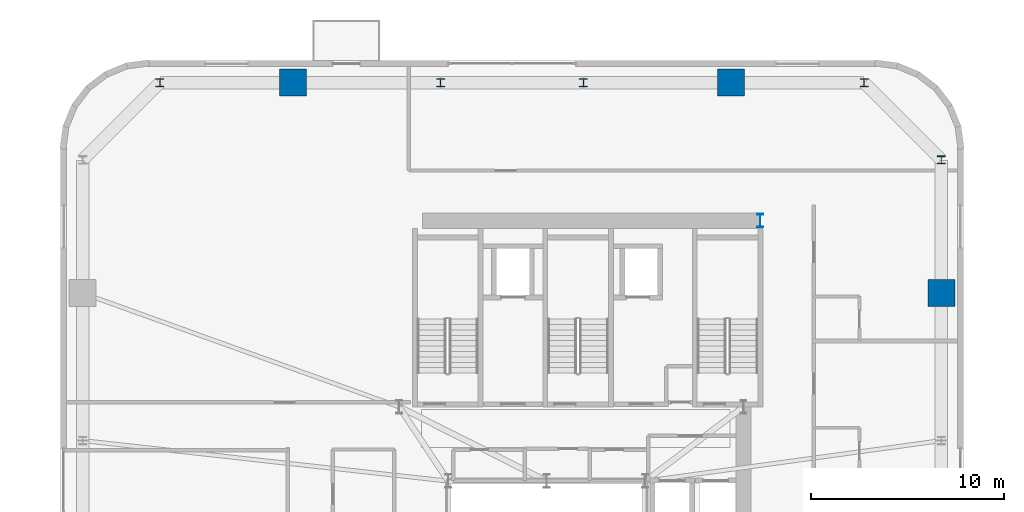
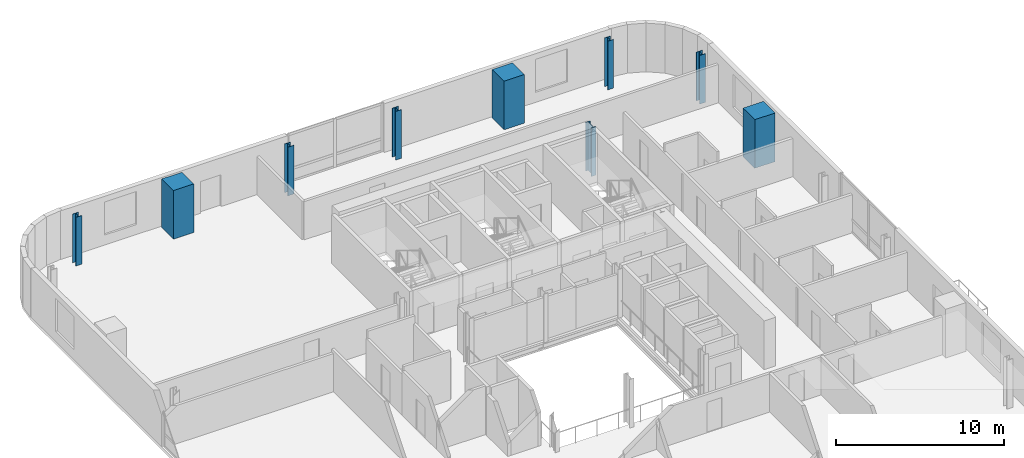
# One storey, part 2 of 15: 9 columns.
"""IFC4 building model written with IfcOpenShell, lengths in metres."""

import ifcopenshell
import ifcopenshell.guid

model = None  # the IFC model being written
_history = None  # IfcOwnerHistory: only IFC2X3 demands one
_inside = {}  # id of a spatial element -> (the spatial element, [elements in it])
_under = {}  # id of a project, library or spatial element -> (it, [spatial elements below it])
_declared = {}  # id of a project -> (the project, [libraries it declares])
_typed = {}  # id of a type object -> (the type object, [elements of that type])
_made_of = {}  # id of a material, layer set ... -> (it, [elements and type objects made of it])


def new_model(schema):
    """Start an empty IFC model of exactly this schema.

    Asked for "IFC4X3", IfcOpenShell would pick the latest addendum, in which some entities
    have other attributes; the version numbers below select the first issue.
    IFC2X3 requires an IfcOwnerHistory on every rooted entity: one is made here for all.
    """
    global model, _history
    if schema == "IFC4X3":
        model = ifcopenshell.file(schema_version=(4, 3, 0, 0))
    else:
        model = ifcopenshell.file(schema=schema)
    _inside.clear()
    _under.clear()
    _declared.clear()
    _typed.clear()
    _made_of.clear()
    _history = None
    if model.schema == "IFC2X3":
        org = make("IfcOrganization", Name="unknown")
        user = make(
            "IfcPersonAndOrganization",
            ThePerson=make("IfcPerson", FamilyName="unknown"),
            TheOrganization=org,
        )
        app = make(
            "IfcApplication",
            ApplicationDeveloper=org,
            Version="unknown",
            ApplicationFullName="unknown",
            ApplicationIdentifier="unknown",
        )
        _history = make(
            "IfcOwnerHistory",
            OwningUser=user,
            OwningApplication=app,
            ChangeAction="ADDED",
            CreationDate=0,
        )
    return model


def make(cls, **values):
    """One entity of the class cls with the attributes given. An attribute that is None is left unset."""
    return model.create_entity(
        cls, **{name: value for name, value in values.items() if value is not None}
    )


def rooted(cls, **values):
    """An entity with a GlobalId (a new one), such as an element, a storey or a relation."""
    return make(cls, GlobalId=ifcopenshell.guid.new(), OwnerHistory=_history, **values)


def si_unit(unit_type, name, prefix=None):
    """IfcSIUnit, for example si_unit("LENGTHUNIT", "METRE", prefix="MILLI")."""
    return make("IfcSIUnit", UnitType=unit_type, Prefix=prefix, Name=name)


def assignment(units):
    """IfcUnitAssignment: the units of a project."""
    return None if units is None else make("IfcUnitAssignment", Units=units)


def point(xyz):
    """IfcCartesianPoint."""
    return None if xyz is None else make("IfcCartesianPoint", Coordinates=xyz)


def direction(xyz):
    """IfcDirection."""
    return None if xyz is None else make("IfcDirection", DirectionRatios=xyz)


def frame(location, z_axis=None, x_axis=None):
    """IfcAxis2Placement3D, a coordinate frame: its origin and axes. An axis left out is left unset."""
    return make(
        "IfcAxis2Placement3D",
        Location=point(location),
        Axis=direction(z_axis),
        RefDirection=direction(x_axis),
    )


def frame_2d(location, x_axis=None):
    """IfcAxis2Placement2D, a coordinate frame in the plane: its origin and x axis."""
    return make(
        "IfcAxis2Placement2D", Location=point(location), RefDirection=direction(x_axis)
    )


def origin():
    """The frame at (0, 0, 0) with its axes left unset."""
    return frame((0.0, 0.0, 0.0))


def origin_2d():
    """The frame at (0, 0) in the plane with its x axis left unset."""
    return frame_2d((0.0, 0.0))


def place(relative_to, where):
    """IfcLocalPlacement: puts the frame where relative to a parent placement (None: the world)."""
    return make(
        "IfcLocalPlacement", PlacementRelTo=relative_to, RelativePlacement=where
    )


def context(
    kind, dimensions, precision=None, world=None, true_north=None, identifier=None
):
    """IfcGeometricRepresentationContext, for example the 3D "Model" context."""
    return make(
        "IfcGeometricRepresentationContext",
        ContextIdentifier=identifier,
        ContextType=kind,
        CoordinateSpaceDimension=dimensions,
        Precision=precision,
        WorldCoordinateSystem=world,
        TrueNorth=true_north,
    )


def subcontext(parent, identifier, kind, view, scale=None):
    """IfcGeometricRepresentationSubContext, for example "Body" below "Model"."""
    return make(
        "IfcGeometricRepresentationSubContext",
        ContextIdentifier=identifier,
        ContextType=kind,
        ParentContext=parent,
        TargetScale=scale,
        TargetView=view,
    )


def project(units=None, contexts=None):
    """IfcProject with its units and contexts."""
    return rooted(
        "IfcProject",
        Name="project",
        RepresentationContexts=contexts,
        UnitsInContext=assignment(units),
    )


def spatial(cls, under=None, at=None, **own):
    """A site, building, storey or space (cls), placed at a placement, below another one or the project."""
    s = rooted(cls, ObjectPlacement=at, **own)
    if under is not None:
        _under.setdefault(under.id(), (under, []))[1].append(s)
    return s


def profile(cls, at=None, kind="AREA", **sizes):
    """A parametric profile (cls). Its sizes go by their IFC names, for example OverallWidth=200.0."""
    return make(cls, ProfileType=kind, Position=at, **sizes)


def rectangle(**sizes):
    """IfcRectangleProfileDef."""
    return profile("IfcRectangleProfileDef", **sizes)


def i_section(**sizes):
    """IfcIShapeProfileDef."""
    return profile("IfcIShapeProfileDef", **sizes)


def extrude(swept, where, along, depth):
    """IfcExtrudedAreaSolid: the profile swept, set in the frame where, extruded along a direction by depth."""
    return make(
        "IfcExtrudedAreaSolid",
        SweptArea=swept,
        Position=where,
        ExtrudedDirection=direction(along),
        Depth=depth,
    )


def shape(context_of_items, identifier, shape_type, items):
    """IfcShapeRepresentation: the items that make up one representation, for example the "Body"."""
    return make(
        "IfcShapeRepresentation",
        ContextOfItems=context_of_items,
        RepresentationIdentifier=identifier,
        RepresentationType=shape_type,
        Items=items,
    )


def source(mapping_origin, context_of_items, identifier, shape_type, items):
    """IfcRepresentationMap: a shape defined once, which mapped items show again and again."""
    return make(
        "IfcRepresentationMap",
        MappingOrigin=mapping_origin,
        MappedRepresentation=shape(context_of_items, identifier, shape_type, items),
    )


def transform(
    local_origin,
    x_axis=None,
    y_axis=None,
    z_axis=None,
    scale=None,
    scale2=None,
    scale3=None,
    uniform=True,
):
    """IfcCartesianTransformationOperator3D, or its non-uniform kind. x_axis, y_axis, z_axis: its Axis1, 2, 3."""
    if uniform:
        return make(
            "IfcCartesianTransformationOperator3D",
            Axis1=direction(x_axis),
            Axis2=direction(y_axis),
            LocalOrigin=point(local_origin),
            Scale=scale,
            Axis3=direction(z_axis),
        )
    return make(
        "IfcCartesianTransformationOperator3DnonUniform",
        Axis1=direction(x_axis),
        Axis2=direction(y_axis),
        LocalOrigin=point(local_origin),
        Scale=scale,
        Axis3=direction(z_axis),
        Scale2=scale2,
        Scale3=scale3,
    )


def mapped(mapping_source, mapping_target):
    """IfcMappedItem: shows the shape of a source again, moved by a transform."""
    return make(
        "IfcMappedItem", MappingSource=mapping_source, MappingTarget=mapping_target
    )


def material(Name=None, Category=None):
    """IfcMaterial."""
    return make("IfcMaterial", Name=Name, Category=Category)


def material_profile(
    of_material, cross_section, Name=None, Category=None, Priority=None
):
    """IfcMaterialProfile: a cross section and its material."""
    return make(
        "IfcMaterialProfile",
        Name=Name,
        Material=of_material,
        Profile=cross_section,
        Priority=Priority,
        Category=Category,
    )


def profile_set(profiles, Name=None, composite=None):
    """IfcMaterialProfileSet."""
    return make(
        "IfcMaterialProfileSet",
        Name=Name,
        MaterialProfiles=profiles,
        CompositeProfile=composite,
    )


def made_of(thing, what):
    """Note that an element or type object is made of a material, layer set ...; save() writes the relation."""
    if what is not None:
        _made_of.setdefault(what.id(), (what, []))[1].append(thing)
    return thing


def type_object(cls, material=None, **own):
    """A type object (cls), such as IfcWallType, which elements share."""
    return made_of(rooted(cls, **own), material)


def element(
    cls,
    number,
    at=None,
    inside=None,
    cuts=None,
    type_object=None,
    material=None,
    context=None,
    identifier="Body",
    shape_type=None,
    held_by="IfcProductDefinitionShape",
    body=None,
    shapes=None,
    **own,
):
    """One element of the class cls, such as IfcWall. Its Tag is "e" and its number.

    at: its placement. inside: the storey or other place that contains it. cuts: it is an
    opening in that element (IfcRelVoidsElement). A single representation is given by context,
    identifier, shape_type and body (its items); several are given by shapes. held_by: the class
    of the entity that holds the representations. save() writes the other relations.
    """
    e = rooted(cls, Tag="e%d" % number, ObjectPlacement=at, **own)
    if body is not None:
        shapes = [shape(context, identifier, shape_type, body)]
    if shapes is not None:
        e.Representation = make(held_by, Representations=shapes)
    if inside is not None:
        _inside.setdefault(inside.id(), (inside, []))[1].append(e)
    if cuts is not None:
        rooted(
            "IfcRelVoidsElement", RelatingBuildingElement=cuts, RelatedOpeningElement=e
        )
    if type_object is not None:
        _typed.setdefault(type_object.id(), (type_object, []))[1].append(e)
    return made_of(e, material)


def aggregate(whole, parts):
    """IfcRelAggregates: a whole, such as a stair, and the parts it consists of."""
    return rooted("IfcRelAggregates", RelatingObject=whole, RelatedObjects=parts)


def save(model, path):
    """Write the relations noted so far, then the file.

    IfcRelAggregates (storeys below a building ...), IfcRelContainedInSpatialStructure (elements
    in a storey), IfcRelDefinesByType, IfcRelAssociatesMaterial and IfcRelDeclares: one each for
    every whole, place, type object, material and project.
    """
    for whole, parts in _under.values():
        aggregate(whole, parts)
    for where, things in _inside.values():
        rooted(
            "IfcRelContainedInSpatialStructure",
            RelatedElements=things,
            RelatingStructure=where,
        )
    for kind, things in _typed.values():
        rooted("IfcRelDefinesByType", RelatedObjects=things, RelatingType=kind)
    for what, things in _made_of.values():
        rooted("IfcRelAssociatesMaterial", RelatedObjects=things, RelatingMaterial=what)
    for by, libraries in _declared.values():
        rooted("IfcRelDeclares", RelatingContext=by, RelatedDefinitions=libraries)
    model.write(path)


model = new_model("IFC4")

# Units and contexts
model_context = context("Model", 3, precision=1e-05, world=origin(), true_north=direction((0.0, 1.0)))
body_context = subcontext(model_context, "Body", "Model", "MODEL_VIEW")
ifc_project = project(units=[si_unit("LENGTHUNIT", "METRE"), si_unit("AREAUNIT", "SQUARE_METRE"), si_unit("VOLUMEUNIT", "CUBIC_METRE"), si_unit("PLANEANGLEUNIT", "RADIAN"), si_unit("MASSUNIT", "GRAM", prefix="KILO")], contexts=[model_context])

# Site, building, storey
site_placement = place(None, origin())
site = spatial("IfcSite", under=ifc_project, at=site_placement, CompositionType="ELEMENT")
building_placement = place(site_placement, origin())
building = spatial("IfcBuilding", under=site, at=building_placement, Name="Vardaveli Station Tower", CompositionType="ELEMENT")
storey_placement = place(building_placement, frame((0.0, 0.0, 229.800048828125)))
storey = spatial("IfcBuildingStorey", under=building, at=storey_placement, Name="L59", CompositionType="ELEMENT", Elevation=229.800048828125)

# Columns
ifc_material_1 = material(Name="Structural steel S460M", Category="steel")
ifc_material_profile_1 = material_profile(ifc_material_1, i_section(OverallWidth=0.300048828125, OverallDepth=0.699951171875, WebThickness=0.01708984375, FlangeThickness=0.031982421875, FilletRadius=0.027099609375, at=origin_2d()), Name="HEB 700")
ifc_profile_set_1 = profile_set([ifc_material_profile_1], Name="Structural steel S460M")
column_type_1 = type_object("IfcColumnType", Name="COL-HEB700", PredefinedType="COLUMN", material=ifc_profile_set_1)
shared_shape_1 = source(origin(), body_context, "Body", "SweptSolid", [
    extrude(i_section(OverallWidth=0.300048828125, OverallDepth=0.699951171875, WebThickness=0.01708984375, FlangeThickness=0.031982421875, FilletRadius=0.027099609375, at=origin_2d()), origin(), (0.0, 0.0, 1.0), 3.530029296875),
])
column_placement = place(storey_placement, frame((47.3701171875, 40.300048828125, 0.0), z_axis=(0.0, 0.0, 1.0), x_axis=(1.0, 0.0, 0.0)))
element("IfcColumn", 1, at=column_placement, inside=storey, type_object=column_type_1, Name="COL-L59-CC3", PredefinedType="COLUMN", context=body_context, shape_type="MappedRepresentation", body=[
    mapped(shared_shape_1, transform((0.0, 0.0, 0.0), scale=1.0)),
])
ifc_material_2 = material(Name="Concrete C50/60", Category="concrete")
ifc_material_profile_2 = material_profile(ifc_material_2, rectangle(XDim=1.39990234375, YDim=1.39990234375, at=origin_2d()), Name="MC 1400x1400")
ifc_profile_set_2 = profile_set([ifc_material_profile_2], Name="Concrete C50/60")
column_type_2 = type_object("IfcColumnType", Name="COL-MC-1400", PredefinedType="COLUMN", material=ifc_profile_set_2)
shared_shape_2 = source(origin(), body_context, "Body", "SweptSolid", [
    extrude(rectangle(XDim=1.39990234375, YDim=1.39990234375, at=origin_2d()), origin(), (0.0, 0.0, 1.0), 3.530029296875),
])
for number, where, z_axis, x_axis, name in (
    (2, (56.75, 36.5400390625, 0.0), (0.0, 0.0, 1.0), (1.0, 0.0, 0.0), "COL-L59-MC4"),
    (3, (45.840087890625, 47.449951171875, 0.0), (0.0, 0.0, 1.0), (1.0, 0.0, 0.0), "COL-L59-MC5"),
    (4, (23.159912109375, 47.449951171875, 0.0), (0.0, 0.0, 1.0), (1.0, 0.0, 0.0), "COL-L59-MC6"),
):
    element("IfcColumn", number, at=place(storey_placement, frame(where, z_axis=z_axis, x_axis=x_axis)), inside=storey, type_object=column_type_2, Name=name, PredefinedType="COLUMN", context=body_context, shape_type="MappedRepresentation", body=[
        mapped(shared_shape_2, transform((0.0, 0.0, 0.0), scale=1.0)),
    ])
ifc_material_profile_3 = material_profile(ifc_material_1, i_section(OverallWidth=0.408935546875, OverallDepth=0.4169921875, WebThickness=0.021240234375, FlangeThickness=0.033203125, FilletRadius=0.014892578125, at=origin_2d()), Name="HD 400x347")
ifc_profile_set_3 = profile_set([ifc_material_profile_3], Name="Structural steel S460M")
column_type_3 = type_object("IfcColumnType", Name="COL-HD347", PredefinedType="COLUMN", material=ifc_profile_set_3)
shared_shape_3 = source(origin(), body_context, "Body", "SweptSolid", [
    extrude(i_section(OverallWidth=0.408935546875, OverallDepth=0.4169921875, WebThickness=0.021240234375, FlangeThickness=0.033203125, FilletRadius=0.014892578125, at=origin_2d()), origin(), (0.0, 0.0, 1.0), 3.530029296875),
])
for number, where, z_axis, x_axis, name in (
    (5, (56.75, 43.449951171875, 0.0), (0.0, 0.0, 1.0), (1.0, 0.0, 0.0), "COL-L59-PC08"),
    (6, (52.75, 47.449951171875, 0.0), (0.0, 0.0, 1.0), (1.0, 0.0, 0.0), "COL-L59-PC09"),
    (7, (38.199951171875, 47.449951171875, 0.0), (0.0, 0.0, 1.0), (1.0, 0.0, 0.0), "COL-L59-PC10"),
    (8, (30.800048828125, 47.449951171875, 0.0), (0.0, 0.0, 1.0), (1.0, 0.0, 0.0), "COL-L59-PC11"),
    (9, (16.25, 47.449951171875, 0.0), (0.0, 0.0, 1.0), (1.0, 0.0, 0.0), "COL-L59-PC12"),
):
    element("IfcColumn", number, at=place(storey_placement, frame(where, z_axis=z_axis, x_axis=x_axis)), inside=storey, type_object=column_type_3, Name=name, PredefinedType="COLUMN", context=body_context, shape_type="MappedRepresentation", body=[
        mapped(shared_shape_3, transform((0.0, 0.0, 0.0), scale=1.0)),
    ])

save(model, "model.ifc")
